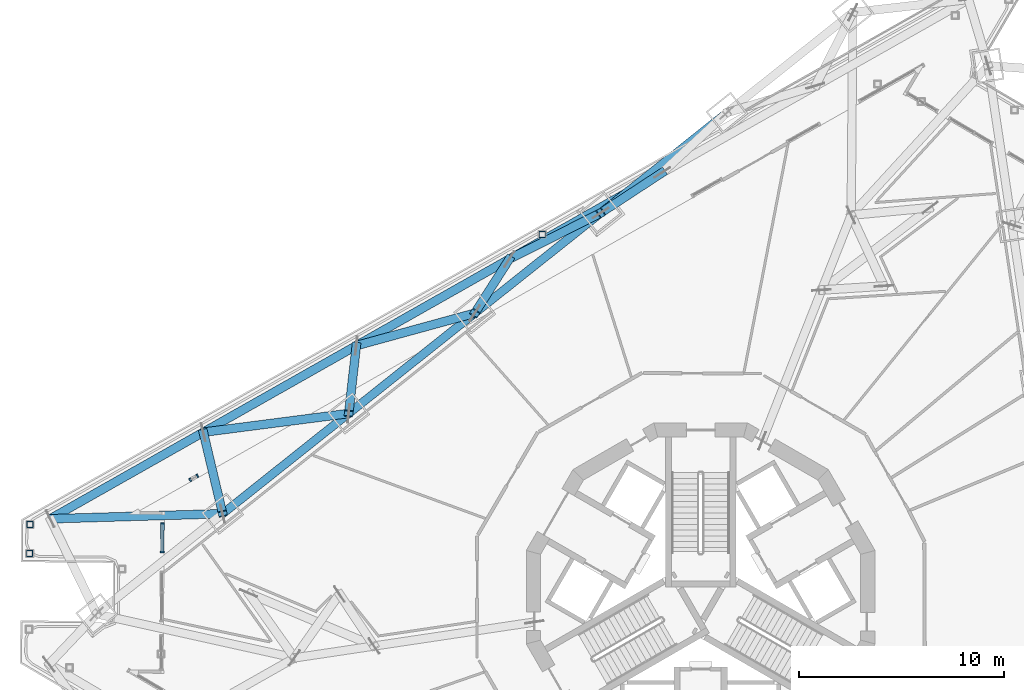
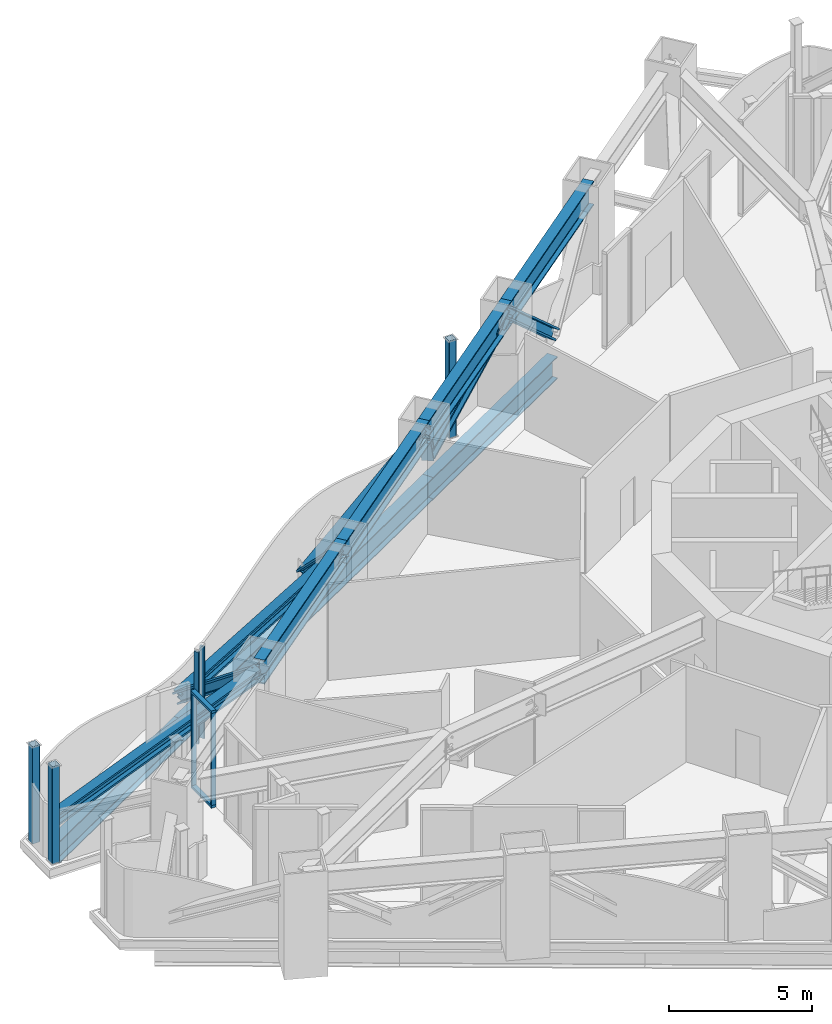
# One storey, part 5 of 27: 25 members, 2 elements without a shape of their own.
"""IFC4 building model written with IfcOpenShell, lengths in metres."""

from ifc_helpers import new_model, si_unit, direction, frame, origin, origin_2d, place, context, subcontext, project, spatial, rectangle, hollow_rectangle, i_section, extrude, material, layer, layer_set, material_profile, profile_set, type_object, element, aggregate, save


model = new_model("IFC4")

# Units and contexts
model_context = context("Model", 3, precision=1e-05, world=origin(), true_north=direction((0.0, 1.0)))
body_context = subcontext(model_context, "Body", "Model", "MODEL_VIEW")
ifc_project = project(units=[si_unit("LENGTHUNIT", "METRE"), si_unit("AREAUNIT", "SQUARE_METRE"), si_unit("VOLUMEUNIT", "CUBIC_METRE"), si_unit("PLANEANGLEUNIT", "RADIAN"), si_unit("MASSUNIT", "GRAM", prefix="KILO")], contexts=[model_context])

# Site, building, storey
site_placement = place(None, origin())
site = spatial("IfcSite", under=ifc_project, at=site_placement, CompositionType="ELEMENT")
building_placement = place(site_placement, origin())
building = spatial("IfcBuilding", under=site, at=building_placement, Name="Trine Commons Tower", CompositionType="ELEMENT")
storey_placement = place(building_placement, frame((0.0, 0.0, 193.5)))
storey = spatial("IfcBuildingStorey", under=building, at=storey_placement, Name="L50", CompositionType="ELEMENT", Elevation=193.5)

# Curtain wall, members
ifc_material_1 = material(Name="Sky lounge glazing: anodised aluminium frame with low-emissivity double glazed unit, solar control", Category="aluminium")
ifc_layer = layer(ifc_material_1, 0.179931640625)
ifc_layer_set = layer_set([ifc_layer], Name="Sky lounge glazing: anodised aluminium frame with low-emissivity double glazed unit, solar control")
curtain_wall_type = type_object("IfcCurtainWallType", Name="Sky lounge glazing curtain wall CW5", PredefinedType="NOTDEFINED", material=ifc_layer_set)
curtain_wall_1_placement = place(storey_placement, origin())
curtain_wall_1 = element("IfcCurtainWall", 1, at=curtain_wall_1_placement, inside=storey, type_object=curtain_wall_type, Name="Sky lounge glazing L50 P1.3", PredefinedType="NOTDEFINED")
ifc_material_2 = material(Name="Anodised aluminium, bronze finish", Category="aluminium")
ifc_material_profile_1 = material_profile(ifc_material_2, rectangle(XDim=0.179931640625, YDim=0.074951171875, at=origin_2d()), Name="Mullion 75x180")
ifc_profile_set_1 = profile_set([ifc_material_profile_1], Name="Anodised aluminium, bronze finish")
member_type_1 = type_object("IfcMemberType", Name="Mullion 75x180, Anodised aluminium, bronze finish", PredefinedType="MULLION", material=ifc_profile_set_1)
member_1_placement = place(storey_placement, frame((53.753173828125, 64.69384765625, 0.110107421875), z_axis=(0.0, 0.0, 1.0), x_axis=(-0.999961923064, 0.008726535498, 0.0)))
member_1 = element("IfcMember", 2, at=member_1_placement, type_object=member_type_1, Name="CW5 mullion 1.1", PredefinedType="MULLION", context=body_context, shape_type="SweptSolid", body=[
    extrude(rectangle(XDim=0.179931640625, YDim=0.074951171875, at=origin_2d()), origin(), (0.0, 0.0, 1.0), 3.929931640625),
])
member_2_placement = place(storey_placement, frame((53.76513671875, 66.0830078125, 0.110107421875), z_axis=(0.0, 0.0, 1.0), x_axis=(-0.999961923064, 0.008726535498, 0.0)))
member_2 = element("IfcMember", 3, at=member_2_placement, type_object=member_type_1, Name="CW5 mullion 2.1", PredefinedType="MULLION", context=body_context, shape_type="SweptSolid", body=[
    extrude(rectangle(XDim=0.179931640625, YDim=0.074951171875, at=origin_2d()), origin(), (0.0, 0.0, 1.0), 3.929931640625),
])

curtain_wall_2_placement = place(storey_placement, origin())
curtain_wall_2 = element("IfcCurtainWall", 4, at=curtain_wall_2_placement, inside=storey, type_object=curtain_wall_type, Name="Sky lounge glazing L50 F1.1", PredefinedType="NOTDEFINED")
member_3_placement = place(storey_placement, frame((55.12060546875, 68.217529296875, 0.110107421875), z_axis=(0.0, 0.0, 1.0), x_axis=(-0.492423560103, 0.87035569594, 0.0)))
member_3 = element("IfcMember", 5, at=member_3_placement, type_object=member_type_1, Name="CW5 mullion 1.1", PredefinedType="MULLION", context=body_context, shape_type="SweptSolid", body=[
    extrude(rectangle(XDim=0.179931640625, YDim=0.074951171875, at=origin_2d()), origin(), (0.0, 0.0, 1.0), 3.929931640625),
])
member_4_placement = place(storey_placement, frame((55.4638671875, 68.41162109375, 0.110107421875), z_axis=(0.0, 0.0, 1.0), x_axis=(-0.492423560103, 0.87035569594, 0.0)))
member_4 = element("IfcMember", 6, at=member_4_placement, type_object=member_type_1, Name="CW5 mullion 2.1", PredefinedType="MULLION", context=body_context, shape_type="SweptSolid", body=[
    extrude(rectangle(XDim=0.179931640625, YDim=0.074951171875, at=origin_2d()), origin(), (0.0, 0.0, 1.0), 3.929931640625),
])
aggregate(curtain_wall_2, [member_3, member_4])

# Members
ifc_material_3 = material(Name="Structural steel ASTM A992 Gr50", Category="steel")
ifc_material_profile_2 = material_profile(ifc_material_3, i_section(OverallWidth=0.42236328125, OverallDepth=0.46337890625, WebThickness=0.044921875, FlangeThickness=0.072509765625, FilletRadius=0.014892578125, at=origin_2d()), Name="W14X398")
ifc_profile_set_2 = profile_set([ifc_material_profile_2], Name="Structural steel ASTM A992 Gr50")
member_type_2 = type_object("IfcMemberType", Name="Steel brace W14X398, ASTM A992 Gr50", PredefinedType="BRACE", material=ifc_profile_set_2)
member_5_placement = place(storey_placement, frame((55.755859375, 70.541748046875, 0.474609375), z_axis=(0.182778422688, -0.769229967255, 0.612272248005), x_axis=(0.972912004455, 0.231175759081, 0.0)))
element("IfcMember", 7, at=member_5_placement, inside=storey, type_object=member_type_2, Name="Transfer truss brace T5-DG-17", PredefinedType="BRACE", context=body_context, shape_type="SweptSolid", body=[
    extrude(i_section(OverallWidth=0.42236328125, OverallDepth=0.46337890625, WebThickness=0.044921875, FlangeThickness=0.072509765625, FilletRadius=0.014892578125, at=origin_2d()), origin(), (0.0, 0.0, 1.0), 5.16259765625),
])
member_6_placement = place(storey_placement, frame((48.29638671875, 66.3212890625, 0.474609375), z_axis=(0.935611651902, 0.027753842255, 0.351938291559), x_axis=(-0.029650805801, 0.999560318198, 0.0)))
element("IfcMember", 8, at=member_6_placement, inside=storey, type_object=member_type_2, Name="Transfer truss brace T5-DG-18", PredefinedType="BRACE", context=body_context, shape_type="SweptSolid", body=[
    extrude(i_section(OverallWidth=0.42236328125, OverallDepth=0.46337890625, WebThickness=0.044921875, FlangeThickness=0.072509765625, FilletRadius=0.014892578125, at=origin_2d()), origin(), (0.0, 0.0, 1.0), 8.9814453125),
])
member_7_placement = place(storey_placement, frame((63.215087890625, 74.761962890625, 0.474609375), z_axis=(-0.080992111674, -0.72025507983, 0.688965091877), x_axis=(0.9937369225, -0.111744927672, 0.0)))
element("IfcMember", 9, at=member_7_placement, inside=storey, type_object=member_type_2, Name="Transfer truss brace T5-DG-19", PredefinedType="BRACE", context=body_context, shape_type="SweptSolid", body=[
    extrude(i_section(OverallWidth=0.42236328125, OverallDepth=0.46337890625, WebThickness=0.044921875, FlangeThickness=0.072509765625, FilletRadius=0.014892578125, at=origin_2d()), origin(), (0.0, 0.0, 1.0), 4.587890625),
])
member_8_placement = place(storey_placement, frame((55.755859375, 70.541748046875, 0.474609375), z_axis=(0.907000099428, 0.117190498879, 0.404496238066), x_axis=(-0.128141516161, 0.99175589327, 0.0)))
element("IfcMember", 10, at=member_8_placement, inside=storey, type_object=member_type_2, Name="Transfer truss brace T5-DG-20", PredefinedType="BRACE", context=body_context, shape_type="SweptSolid", body=[
    extrude(i_section(OverallWidth=0.42236328125, OverallDepth=0.46337890625, WebThickness=0.044921875, FlangeThickness=0.072509765625, FilletRadius=0.014892578125, at=origin_2d()), origin(), (0.0, 0.0, 1.0), 7.814453125),
])
member_9_placement = place(storey_placement, frame((70.6748046875, 78.982421875, 0.474609375), z_axis=(-0.379272765536, -0.592833182704, 0.710423104078), x_axis=(0.84236201172, -0.53891209043, 0.0)))
element("IfcMember", 11, at=member_9_placement, inside=storey, type_object=member_type_2, Name="Transfer truss brace T5-DG-21", PredefinedType="BRACE", context=body_context, shape_type="SweptSolid", body=[
    extrude(i_section(OverallWidth=0.42236328125, OverallDepth=0.46337890625, WebThickness=0.044921875, FlangeThickness=0.072509765625, FilletRadius=0.014892578125, at=origin_2d()), origin(), (0.0, 0.0, 1.0), 4.44921875),
])
member_10_placement = place(storey_placement, frame((63.215087890625, 74.761962890625, 0.474609375), z_axis=(0.85278494444, 0.233836856355, 0.466988397228), x_axis=(-0.264442523517, 0.964401447404, 0.0)))
element("IfcMember", 12, at=member_10_placement, inside=storey, type_object=member_type_2, Name="Transfer truss brace T5-DG-22", PredefinedType="BRACE", context=body_context, shape_type="SweptSolid", body=[
    extrude(i_section(OverallWidth=0.42236328125, OverallDepth=0.46337890625, WebThickness=0.044921875, FlangeThickness=0.072509765625, FilletRadius=0.014892578125, at=origin_2d()), origin(), (0.0, 0.0, 1.0), 6.7685546875),
])
member_11_placement = place(storey_placement, frame((78.13427734375, 83.202880859375, 0.474609375), z_axis=(-0.627596532446, -0.411968650648, 0.660609130535), x_axis=(0.548757389016, -0.835981655301, 0.0)))
element("IfcMember", 13, at=member_11_placement, inside=storey, type_object=member_type_2, Name="Transfer truss brace T5-DG-23", PredefinedType="BRACE", context=body_context, shape_type="SweptSolid", body=[
    extrude(i_section(OverallWidth=0.42236328125, OverallDepth=0.46337890625, WebThickness=0.044921875, FlangeThickness=0.072509765625, FilletRadius=0.014892578125, at=origin_2d()), origin(), (0.0, 0.0, 1.0), 4.784912109375),
])
member_12_placement = place(storey_placement, frame((70.6748046875, 78.982421875, 0.474609375), z_axis=(0.754250710505, 0.380678853724, 0.534966798998), x_axis=(-0.450575195288, 0.892738479842, 0.0)))
element("IfcMember", 14, at=member_12_placement, inside=storey, type_object=member_type_2, Name="Transfer truss brace T5-DG-24", PredefinedType="BRACE", context=body_context, shape_type="SweptSolid", body=[
    extrude(i_section(OverallWidth=0.42236328125, OverallDepth=0.46337890625, WebThickness=0.044921875, FlangeThickness=0.072509765625, FilletRadius=0.014892578125, at=origin_2d()), origin(), (0.0, 0.0, 1.0), 5.90869140625),
])
ifc_material_profile_3 = material_profile(ifc_material_3, i_section(OverallWidth=0.42236328125, OverallDepth=0.94921875, WebThickness=0.02392578125, FlangeThickness=0.042724609375, FilletRadius=0.024169921875, at=origin_2d()), Name="W36X302")
ifc_profile_set_3 = profile_set([ifc_material_profile_3], Name="Structural steel ASTM A992 Gr50")
member_type_3 = type_object("IfcMemberType", Name="Steel chord W36X302, ASTM A992 Gr50", PredefinedType="CHORD", material=ifc_profile_set_3)
member_13_placement = place(storey_placement, frame((48.29638671875, 66.3212890625, -0.924560546875), z_axis=(0.870351074557, 0.49243172828, 0.0), x_axis=(-0.49243172828, 0.870351074557, 0.0)))
element("IfcMember", 15, at=member_13_placement, inside=storey, type_object=member_type_3, Name="Transfer truss chord T5-LC-07", PredefinedType="CHORD", context=body_context, shape_type="SweptSolid", body=[
    extrude(i_section(OverallWidth=0.42236328125, OverallDepth=0.94921875, WebThickness=0.02392578125, FlangeThickness=0.042724609375, FilletRadius=0.024169921875, at=origin_2d()), origin(), (0.0, 0.0, 1.0), 8.570556640625),
])
member_14_placement = place(storey_placement, frame((55.755859375, 70.541748046875, -0.924560546875), z_axis=(0.87035637588, 0.492422358311, 0.0), x_axis=(-0.492422358311, 0.87035637588, 0.0)))
element("IfcMember", 16, at=member_14_placement, inside=storey, type_object=member_type_3, Name="Transfer truss chord T5-LC-08", PredefinedType="CHORD", context=body_context, shape_type="SweptSolid", body=[
    extrude(i_section(OverallWidth=0.42236328125, OverallDepth=0.94921875, WebThickness=0.02392578125, FlangeThickness=0.042724609375, FilletRadius=0.024169921875, at=origin_2d()), origin(), (0.0, 0.0, 1.0), 8.5703125),
])
member_15_placement = place(storey_placement, frame((63.215087890625, 74.761962890625, -0.924560546875), z_axis=(0.870357981762, 0.492419519905, 0.0), x_axis=(-0.492419519905, 0.870357981762, 0.0)))
element("IfcMember", 17, at=member_15_placement, inside=storey, type_object=member_type_3, Name="Transfer truss chord T5-LC-09", PredefinedType="CHORD", context=body_context, shape_type="SweptSolid", body=[
    extrude(i_section(OverallWidth=0.42236328125, OverallDepth=0.94921875, WebThickness=0.02392578125, FlangeThickness=0.042724609375, FilletRadius=0.024169921875, at=origin_2d()), origin(), (0.0, 0.0, 1.0), 8.57080078125),
])
member_16_placement = place(storey_placement, frame((70.6748046875, 78.982421875, -0.924560546875), z_axis=(0.870351074557, 0.49243172828, 0.0), x_axis=(-0.49243172828, 0.870351074557, 0.0)))
element("IfcMember", 18, at=member_16_placement, inside=storey, type_object=member_type_3, Name="Transfer truss chord T5-LC-10", PredefinedType="CHORD", context=body_context, shape_type="SweptSolid", body=[
    extrude(i_section(OverallWidth=0.42236328125, OverallDepth=0.94921875, WebThickness=0.02392578125, FlangeThickness=0.042724609375, FilletRadius=0.024169921875, at=origin_2d()), origin(), (0.0, 0.0, 1.0), 8.570556640625),
])
ifc_material_profile_4 = material_profile(ifc_material_3, i_section(OverallWidth=0.406494140625, OverallDepth=1.02880859375, WebThickness=0.0283203125, FlangeThickness=0.051025390625, FilletRadius=0.02978515625, at=origin_2d()), Name="W40X362")
ifc_profile_set_4 = profile_set([ifc_material_profile_4], Name="Structural steel ASTM A992 Gr50")
member_type_4 = type_object("IfcMemberType", Name="Steel chord W40X362, ASTM A992 Gr50", PredefinedType="CHORD", material=ifc_profile_set_4)
for number, where, z_axis, x_axis, name in (
    (19, (56.699462890625, 66.570556640625, 3.635498046875), (0.782622402508, 0.622496726973, 0.0), (-0.622496726973, 0.782622402508, 0.0), "Transfer truss chord T5-UC-08"),
    (20, (62.843505859375, 71.45751953125, 3.635498046875), (0.782595200411, 0.622530924769, 0.0), (-0.622530924769, 0.782595200411, 0.0), "Transfer truss chord T5-UC-09"),
    (21, (68.9873046875, 76.3447265625, 3.635498046875), (0.782622402508, 0.622496726973, 0.0), (-0.622496726973, 0.782622402508, 0.0), "Transfer truss chord T5-UC-10"),
):
    element("IfcMember", number, at=place(storey_placement, frame(where, z_axis=z_axis, x_axis=x_axis)), inside=storey, type_object=member_type_4, Name=name, PredefinedType="CHORD", context=body_context, shape_type="SweptSolid", body=[
        extrude(i_section(OverallWidth=0.406494140625, OverallDepth=1.02880859375, WebThickness=0.0283203125, FlangeThickness=0.051025390625, FilletRadius=0.02978515625, at=origin_2d()), origin(), (0.0, 0.0, 1.0), 7.8505859375),
    ])
member_17_placement = place(storey_placement, frame((75.13134765625, 81.231689453125, 3.635498046875), z_axis=(0.782607252053, 0.622515774124, 0.0), x_axis=(-0.622515774124, 0.782607252053, 0.0)))
element("IfcMember", 22, at=member_17_placement, inside=storey, type_object=member_type_4, Name="Transfer truss chord T5-UC-11", PredefinedType="CHORD", context=body_context, shape_type="SweptSolid", body=[
    extrude(i_section(OverallWidth=0.406494140625, OverallDepth=1.02880859375, WebThickness=0.0283203125, FlangeThickness=0.051025390625, FilletRadius=0.02978515625, at=origin_2d()), origin(), (0.0, 0.0, 1.0), 7.850830078125),
])
ifc_material_4 = material(Name="Structural steel ASTM A500 Gr C", Category="steel")
ifc_material_profile_5 = material_profile(ifc_material_4, hollow_rectangle(XDim=0.3046875, YDim=0.3046875, WallThickness=0.014892578125, InnerFilletRadius=0.00732421875, OuterFilletRadius=0.022216796875, at=origin_2d()), Name="HSS12X12X5/8")
ifc_profile_set_5 = profile_set([ifc_material_profile_5], Name="Structural steel ASTM A500 Gr C")
member_type_5 = type_object("IfcMemberType", Name="Steel post HSS12X12X5/8, ASTM A500 Gr C", PredefinedType="POST", material=ifc_profile_set_5)
for number, where, z_axis, x_axis, name in (
    (23, (72.281005859375, 80.178466796875, 0.0), (0.0, 0.0, 1.0), (1.0, 0.0, 0.0), "Roof post SP5-21"),
    (24, (47.292236328125, 64.635498046875, 0.0), (0.0, 0.0, 1.0), (1.0, 0.0, 0.0), "Roof post SP5-22"),
    (25, (47.3046875, 66.047607421875, 0.0), (0.0, 0.0, 1.0), (1.0, 0.0, 0.0), "Roof post SP5-24"),
):
    element("IfcMember", number, at=place(storey_placement, frame(where, z_axis=z_axis, x_axis=x_axis)), inside=storey, type_object=member_type_5, Name=name, PredefinedType="POST", context=body_context, shape_type="SweptSolid", body=[
        extrude(hollow_rectangle(XDim=0.3046875, YDim=0.3046875, WallThickness=0.014892578125, InnerFilletRadius=0.00732421875, OuterFilletRadius=0.022216796875, at=origin_2d()), origin(), (0.0, 0.0, 1.0), 4.14990234375),
    ])

# Member
ifc_material_profile_6 = material_profile(ifc_material_2, rectangle(XDim=0.179931640625, YDim=0.110107421875, at=origin_2d()), Name="Transom 110x180")
ifc_profile_set_6 = profile_set([ifc_material_profile_6], Name="Anodised aluminium, bronze finish")
member_type_6 = type_object("IfcMemberType", Name="Transom 110x180, Anodised aluminium, bronze finish", PredefinedType="USERDEFINED", material=ifc_profile_set_6)
member_18_placement = place(storey_placement, frame((53.752685546875, 64.656494140625, 0.054931640625), z_axis=(0.008670676216, 0.99996240898, 0.0), x_axis=(-0.99996240898, 0.008670676216, 0.0)))
member_18 = element("IfcMember", 26, at=member_18_placement, type_object=member_type_6, Name="CW5 transom T00", ObjectType="TRANSOM", PredefinedType="USERDEFINED", context=body_context, shape_type="SweptSolid", body=[
    extrude(rectangle(XDim=0.179931640625, YDim=0.110107421875, at=origin_2d()), origin(), (0.0, 0.0, 1.0), 1.464111328125),
])

member_19_placement = place(storey_placement, frame((53.752685546875, 64.656494140625, 4.094970703125), z_axis=(0.008670676216, 0.99996240898, 0.0), x_axis=(-0.99996240898, 0.008670676216, 0.0)))
member_19 = element("IfcMember", 27, at=member_19_placement, type_object=member_type_6, Name="CW5 transom TH00", ObjectType="TRANSOM", PredefinedType="USERDEFINED", context=body_context, shape_type="SweptSolid", body=[
    extrude(rectangle(XDim=0.179931640625, YDim=0.110107421875, at=origin_2d()), origin(), (0.0, 0.0, 1.0), 1.464111328125),
])

aggregate(curtain_wall_1, [member_18, member_19, member_1, member_2])

save(model, "model.ifc")
